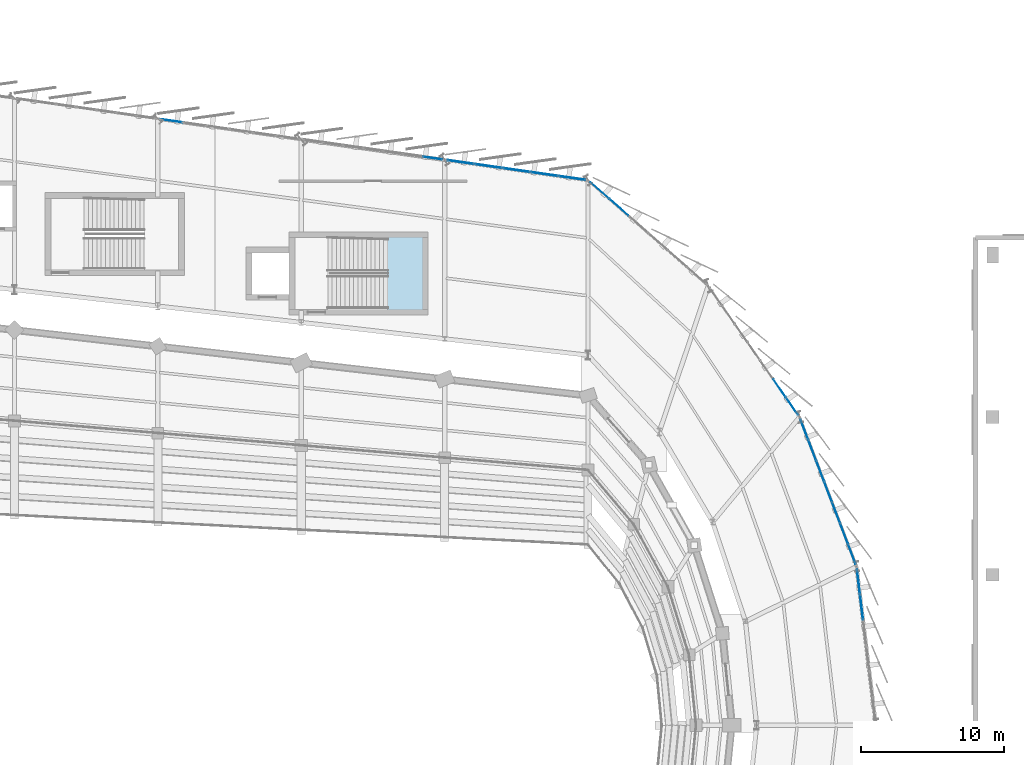
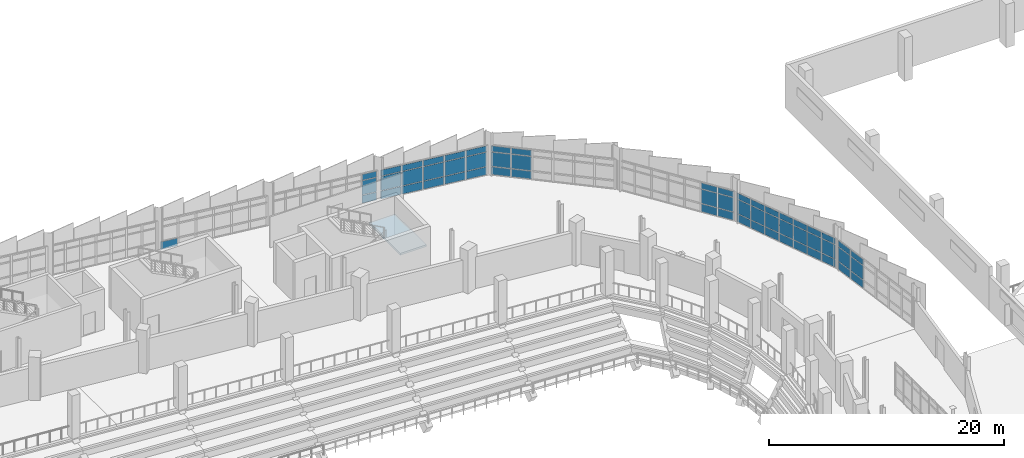
# One storey, part 101 of 134: 58 plates, 1 slab, 8 elements without a shape of their own.
"""IFC4 building model written with IfcOpenShell, lengths in metres."""

from ifc_helpers import new_model, si_unit, direction, frame, origin, origin_2d, place, context, subcontext, project, spatial, polyline, rectangle, outline, extrude, material, layer, layer_set, type_object, element, aggregate, save


model = new_model("IFC4")

# Units and contexts
model_context = context("Model", 3, precision=1e-05, world=origin(), true_north=direction((0.0, 1.0)))
body_context = subcontext(model_context, "Body", "Model", "MODEL_VIEW")
ifc_project = project(units=[si_unit("LENGTHUNIT", "METRE"), si_unit("AREAUNIT", "SQUARE_METRE"), si_unit("VOLUMEUNIT", "CUBIC_METRE"), si_unit("PLANEANGLEUNIT", "RADIAN"), si_unit("MASSUNIT", "GRAM", prefix="KILO")], contexts=[model_context])

# Site, building, storey
site_placement = place(None, origin())
site = spatial("IfcSite", under=ifc_project, at=site_placement, CompositionType="ELEMENT")
building_placement = place(site_placement, origin())
building = spatial("IfcBuilding", under=site, at=building_placement, Name="Sohan Crest Arena", CompositionType="ELEMENT")
storey_placement = place(building_placement, frame((0.0, 0.0, 4.5)))
storey = spatial("IfcBuildingStorey", under=building, at=storey_placement, Name="L01", CompositionType="ELEMENT", Elevation=4.5)

# Curtain wall, plates
ifc_material_1 = material(Name="Thermally broken anodised aluminium", Category="aluminium")
ifc_layer_1 = layer(ifc_material_1, 0.179931640625, Name="Thermally broken anodised aluminium")
ifc_layer_set_1 = layer_set([ifc_layer_1], Name="Thermally broken anodised aluminium")
curtain_wall_type_1 = type_object("IfcCurtainWallType", Name="ARC-CW01", PredefinedType="NOTDEFINED", material=ifc_layer_set_1)
curtain_wall_1_placement = place(storey_placement, origin())
curtain_wall_1 = element("IfcCurtainWall", 1, at=curtain_wall_1_placement, inside=storey, type_object=curtain_wall_type_1, Name="Unitised curtain wall CW-040", PredefinedType="NOTDEFINED")
ifc_material_2 = material(Name="Low-E double-glazed insulated glass", Category="glass")
ifc_layer_2 = layer(ifc_material_2, 0.028076171875, Name="Low-E double-glazed insulated glass")
ifc_layer_set_2 = layer_set([ifc_layer_2], Name="Low-E double-glazed insulated glass")
plate_type_1 = type_object("IfcPlateType", Name="ARC-CNP01", PredefinedType="CURTAIN_PANEL", material=ifc_layer_set_2)
plate_1_placement = place(storey_placement, frame((186.396240234375, 89.931884765625, 0.06005859375), z_axis=(0.0, 0.0, 1.0), x_axis=(-0.356560255882, 0.934272328567, 0.0)))
plate_1 = element("IfcPlate", 2, at=plate_1_placement, type_object=plate_type_1, Name="CW-040 panel 1.1", PredefinedType="CURTAIN_PANEL", context=body_context, shape_type="SweptSolid", body=[
    extrude(rectangle(XDim=1.466064453125, YDim=0.028076171875, at=origin_2d()), origin(), (0.0, 0.0, 1.0), 0.81005859375),
])
plate_2_placement = place(storey_placement, frame((186.396240234375, 89.931884765625, 0.929931640625), z_axis=(0.0, 0.0, 1.0), x_axis=(-0.356560255882, 0.934272328567, 0.0)))
plate_2 = element("IfcPlate", 3, at=plate_2_placement, type_object=plate_type_1, Name="CW-040 panel 1.2", PredefinedType="CURTAIN_PANEL", context=body_context, shape_type="SweptSolid", body=[
    extrude(rectangle(XDim=1.466064453125, YDim=0.028076171875, at=origin_2d()), origin(), (0.0, 0.0, 1.0), 1.4599609375),
])
plate_3_placement = place(storey_placement, frame((186.396240234375, 89.931884765625, 2.44970703125), z_axis=(0.0, 0.0, 1.0), x_axis=(-0.356560255882, 0.934272328567, 0.0)))
plate_3 = element("IfcPlate", 4, at=plate_3_placement, type_object=plate_type_1, Name="CW-040 panel 1.3", PredefinedType="CURTAIN_PANEL", context=body_context, shape_type="SweptSolid", body=[
    extrude(rectangle(XDim=1.466064453125, YDim=0.028076171875, at=origin_2d()), origin(), (0.0, 0.0, 1.0), 0.610107421875),
])
plate_4_placement = place(storey_placement, frame((185.8466796875, 91.371826171875, 0.06005859375), z_axis=(0.0, 0.0, 1.0), x_axis=(-0.356560255882, 0.934272328567, 0.0)))
plate_4 = element("IfcPlate", 5, at=plate_4_placement, type_object=plate_type_1, Name="CW-040 panel 2.1", PredefinedType="CURTAIN_PANEL", context=body_context, shape_type="SweptSolid", body=[
    extrude(rectangle(XDim=1.49609375, YDim=0.028076171875, at=origin_2d()), origin(), (0.0, 0.0, 1.0), 0.81005859375),
])
plate_5_placement = place(storey_placement, frame((185.8466796875, 91.371826171875, 0.929931640625), z_axis=(0.0, 0.0, 1.0), x_axis=(-0.356560255882, 0.934272328567, 0.0)))
plate_5 = element("IfcPlate", 6, at=plate_5_placement, type_object=plate_type_1, Name="CW-040 panel 2.2", PredefinedType="CURTAIN_PANEL", context=body_context, shape_type="SweptSolid", body=[
    extrude(rectangle(XDim=1.49609375, YDim=0.028076171875, at=origin_2d()), origin(), (0.0, 0.0, 1.0), 1.4599609375),
])
plate_6_placement = place(storey_placement, frame((185.8466796875, 91.371826171875, 2.44970703125), z_axis=(0.0, 0.0, 1.0), x_axis=(-0.356560255882, 0.934272328567, 0.0)))
plate_6 = element("IfcPlate", 7, at=plate_6_placement, type_object=plate_type_1, Name="CW-040 panel 2.3", PredefinedType="CURTAIN_PANEL", context=body_context, shape_type="SweptSolid", body=[
    extrude(rectangle(XDim=1.49609375, YDim=0.028076171875, at=origin_2d()), origin(), (0.0, 0.0, 1.0), 0.610107421875),
])
plate_7_placement = place(storey_placement, frame((185.291748046875, 92.82568359375, 0.06005859375), z_axis=(0.0, 0.0, 1.0), x_axis=(-0.356560255882, 0.934272328567, 0.0)))
plate_7 = element("IfcPlate", 8, at=plate_7_placement, type_object=plate_type_1, Name="CW-040 panel 3.1", PredefinedType="CURTAIN_PANEL", context=body_context, shape_type="SweptSolid", body=[
    extrude(rectangle(XDim=1.49609375, YDim=0.028076171875, at=origin_2d()), origin(), (0.0, 0.0, 1.0), 0.81005859375),
])
plate_8_placement = place(storey_placement, frame((185.291748046875, 92.82568359375, 0.929931640625), z_axis=(0.0, 0.0, 1.0), x_axis=(-0.356560255882, 0.934272328567, 0.0)))
plate_8 = element("IfcPlate", 9, at=plate_8_placement, type_object=plate_type_1, Name="CW-040 panel 3.2", PredefinedType="CURTAIN_PANEL", context=body_context, shape_type="SweptSolid", body=[
    extrude(rectangle(XDim=1.49609375, YDim=0.028076171875, at=origin_2d()), origin(), (0.0, 0.0, 1.0), 1.4599609375),
])
plate_9_placement = place(storey_placement, frame((185.291748046875, 92.82568359375, 2.44970703125), z_axis=(0.0, 0.0, 1.0), x_axis=(-0.356560255882, 0.934272328567, 0.0)))
plate_9 = element("IfcPlate", 10, at=plate_9_placement, type_object=plate_type_1, Name="CW-040 panel 3.3", PredefinedType="CURTAIN_PANEL", context=body_context, shape_type="SweptSolid", body=[
    extrude(rectangle(XDim=1.49609375, YDim=0.028076171875, at=origin_2d()), origin(), (0.0, 0.0, 1.0), 0.610107421875),
])
plate_10_placement = place(storey_placement, frame((184.737060546875, 94.279541015625, 0.06005859375), z_axis=(0.0, 0.0, 1.0), x_axis=(-0.356560255882, 0.934272328567, 0.0)))
plate_10 = element("IfcPlate", 11, at=plate_10_placement, type_object=plate_type_1, Name="CW-040 panel 4.1", PredefinedType="CURTAIN_PANEL", context=body_context, shape_type="SweptSolid", body=[
    extrude(rectangle(XDim=1.49609375, YDim=0.028076171875, at=origin_2d()), origin(), (0.0, 0.0, 1.0), 0.81005859375),
])
plate_11_placement = place(storey_placement, frame((184.737060546875, 94.279541015625, 0.929931640625), z_axis=(0.0, 0.0, 1.0), x_axis=(-0.356560255882, 0.934272328567, 0.0)))
plate_11 = element("IfcPlate", 12, at=plate_11_placement, type_object=plate_type_1, Name="CW-040 panel 4.2", PredefinedType="CURTAIN_PANEL", context=body_context, shape_type="SweptSolid", body=[
    extrude(rectangle(XDim=1.49609375, YDim=0.028076171875, at=origin_2d()), origin(), (0.0, 0.0, 1.0), 1.4599609375),
])
plate_12_placement = place(storey_placement, frame((184.737060546875, 94.279541015625, 2.44970703125), z_axis=(0.0, 0.0, 1.0), x_axis=(-0.356560255882, 0.934272328567, 0.0)))
plate_12 = element("IfcPlate", 13, at=plate_12_placement, type_object=plate_type_1, Name="CW-040 panel 4.3", PredefinedType="CURTAIN_PANEL", context=body_context, shape_type="SweptSolid", body=[
    extrude(rectangle(XDim=1.49609375, YDim=0.028076171875, at=origin_2d()), origin(), (0.0, 0.0, 1.0), 0.610107421875),
])
plate_13_placement = place(storey_placement, frame((184.18212890625, 95.7333984375, 0.06005859375), z_axis=(0.0, 0.0, 1.0), x_axis=(-0.356560255882, 0.934272328567, 0.0)))
plate_13 = element("IfcPlate", 14, at=plate_13_placement, type_object=plate_type_1, Name="CW-040 panel 5.1", PredefinedType="CURTAIN_PANEL", context=body_context, shape_type="SweptSolid", body=[
    extrude(rectangle(XDim=1.49609375, YDim=0.028076171875, at=origin_2d()), origin(), (0.0, 0.0, 1.0), 0.81005859375),
])
plate_14_placement = place(storey_placement, frame((184.18212890625, 95.7333984375, 0.929931640625), z_axis=(0.0, 0.0, 1.0), x_axis=(-0.356560255882, 0.934272328567, 0.0)))
plate_14 = element("IfcPlate", 15, at=plate_14_placement, type_object=plate_type_1, Name="CW-040 panel 5.2", PredefinedType="CURTAIN_PANEL", context=body_context, shape_type="SweptSolid", body=[
    extrude(rectangle(XDim=1.49609375, YDim=0.028076171875, at=origin_2d()), origin(), (0.0, 0.0, 1.0), 1.4599609375),
])
plate_15_placement = place(storey_placement, frame((184.18212890625, 95.7333984375, 2.44970703125), z_axis=(0.0, 0.0, 1.0), x_axis=(-0.356560255882, 0.934272328567, 0.0)))
plate_15 = element("IfcPlate", 16, at=plate_15_placement, type_object=plate_type_1, Name="CW-040 panel 5.3", PredefinedType="CURTAIN_PANEL", context=body_context, shape_type="SweptSolid", body=[
    extrude(rectangle(XDim=1.49609375, YDim=0.028076171875, at=origin_2d()), origin(), (0.0, 0.0, 1.0), 0.610107421875),
])
plate_16_placement = place(storey_placement, frame((183.627197265625, 97.187255859375, 0.06005859375), z_axis=(0.0, 0.0, 1.0), x_axis=(-0.356560255882, 0.934272328567, 0.0)))
plate_16 = element("IfcPlate", 17, at=plate_16_placement, type_object=plate_type_1, Name="CW-040 panel 6.1", PredefinedType="CURTAIN_PANEL", context=body_context, shape_type="SweptSolid", body=[
    extrude(rectangle(XDim=1.49609375, YDim=0.028076171875, at=origin_2d()), origin(), (0.0, 0.0, 1.0), 0.81005859375),
])
plate_17_placement = place(storey_placement, frame((183.627197265625, 97.187255859375, 0.929931640625), z_axis=(0.0, 0.0, 1.0), x_axis=(-0.356560255882, 0.934272328567, 0.0)))
plate_17 = element("IfcPlate", 18, at=plate_17_placement, type_object=plate_type_1, Name="CW-040 panel 6.2", PredefinedType="CURTAIN_PANEL", context=body_context, shape_type="SweptSolid", body=[
    extrude(rectangle(XDim=1.49609375, YDim=0.028076171875, at=origin_2d()), origin(), (0.0, 0.0, 1.0), 1.4599609375),
])
plate_18_placement = place(storey_placement, frame((183.627197265625, 97.187255859375, 2.44970703125), z_axis=(0.0, 0.0, 1.0), x_axis=(-0.356560255882, 0.934272328567, 0.0)))
plate_18 = element("IfcPlate", 19, at=plate_18_placement, type_object=plate_type_1, Name="CW-040 panel 6.3", PredefinedType="CURTAIN_PANEL", context=body_context, shape_type="SweptSolid", body=[
    extrude(rectangle(XDim=1.49609375, YDim=0.028076171875, at=origin_2d()), origin(), (0.0, 0.0, 1.0), 0.610107421875),
])
plate_19_placement = place(storey_placement, frame((183.077880859375, 98.626953125, 0.06005859375), z_axis=(0.0, 0.0, 1.0), x_axis=(-0.356560255882, 0.934272328567, 0.0)))
plate_19 = element("IfcPlate", 20, at=plate_19_placement, type_object=plate_type_1, Name="CW-040 panel 7.1", PredefinedType="CURTAIN_PANEL", context=body_context, shape_type="SweptSolid", body=[
    extrude(rectangle(XDim=1.466064453125, YDim=0.028076171875, at=origin_2d()), origin(), (0.0, 0.0, 1.0), 0.81005859375),
])
plate_20_placement = place(storey_placement, frame((183.077880859375, 98.626953125, 0.929931640625), z_axis=(0.0, 0.0, 1.0), x_axis=(-0.356560255882, 0.934272328567, 0.0)))
plate_20 = element("IfcPlate", 21, at=plate_20_placement, type_object=plate_type_1, Name="CW-040 panel 7.2", PredefinedType="CURTAIN_PANEL", context=body_context, shape_type="SweptSolid", body=[
    extrude(rectangle(XDim=1.466064453125, YDim=0.028076171875, at=origin_2d()), origin(), (0.0, 0.0, 1.0), 1.4599609375),
])
plate_21_placement = place(storey_placement, frame((183.077880859375, 98.626953125, 2.44970703125), z_axis=(0.0, 0.0, 1.0), x_axis=(-0.356560255882, 0.934272328567, 0.0)))
plate_21 = element("IfcPlate", 22, at=plate_21_placement, type_object=plate_type_1, Name="CW-040 panel 7.3", PredefinedType="CURTAIN_PANEL", context=body_context, shape_type="SweptSolid", body=[
    extrude(rectangle(XDim=1.466064453125, YDim=0.028076171875, at=origin_2d()), origin(), (0.0, 0.0, 1.0), 0.610107421875),
])
aggregate(curtain_wall_1, [plate_1, plate_2, plate_3, plate_4, plate_5, plate_6, plate_7, plate_8, plate_9, plate_10, plate_11, plate_12, plate_13, plate_14, plate_15, plate_16, plate_17, plate_18, plate_19, plate_20, plate_21])

ifc_layer_3 = layer(ifc_material_1, 0.18994140625, Name="Thermally broken anodised aluminium")
ifc_layer_set_3 = layer_set([ifc_layer_3], Name="Thermally broken anodised aluminium")
curtain_wall_type_2 = type_object("IfcCurtainWallType", Name="ARC-CW05", PredefinedType="NOTDEFINED", material=ifc_layer_set_3)
curtain_wall_2_placement = place(storey_placement, origin())
curtain_wall_2 = element("IfcCurtainWall", 23, at=curtain_wall_2_placement, inside=storey, type_object=curtain_wall_type_2, Name="Unitised curtain wall CW-044", PredefinedType="NOTDEFINED")
plate_22_placement = place(storey_placement, frame((157.160400390625, 117.548583984375, 0.06494140625), z_axis=(0.0, 0.0, 1.0), x_axis=(-0.989945428602, 0.141449808729, 0.0)))
plate_22 = element("IfcPlate", 24, at=plate_22_placement, type_object=plate_type_1, Name="CW-044 panel 1.1", PredefinedType="CURTAIN_PANEL", context=body_context, shape_type="SweptSolid", body=[
    extrude(rectangle(XDim=1.31591796875, YDim=0.028076171875, at=origin_2d()), origin(), (0.0, 0.0, 1.0), 0.802490234375),
])
plate_23_placement = place(storey_placement, frame((157.160400390625, 117.548583984375, 0.932373046875), z_axis=(0.0, 0.0, 1.0), x_axis=(-0.989945428602, 0.141449808729, 0.0)))
plate_23 = element("IfcPlate", 25, at=plate_23_placement, type_object=plate_type_1, Name="CW-044 panel 1.2", PredefinedType="CURTAIN_PANEL", context=body_context, shape_type="SweptSolid", body=[
    extrude(rectangle(XDim=1.31591796875, YDim=0.028076171875, at=origin_2d()), origin(), (0.0, 0.0, 1.0), 1.455078125),
])
plate_24_placement = place(storey_placement, frame((157.160400390625, 117.548583984375, 2.452392578125), z_axis=(0.0, 0.0, 1.0), x_axis=(-0.989945428602, 0.141449808729, 0.0)))
plate_24 = element("IfcPlate", 26, at=plate_24_placement, type_object=plate_type_1, Name="CW-044 panel 1.3", PredefinedType="CURTAIN_PANEL", context=body_context, shape_type="SweptSolid", body=[
    extrude(rectangle(XDim=1.31591796875, YDim=0.028076171875, at=origin_2d()), origin(), (0.0, 0.0, 1.0), 0.6025390625),
])
aggregate(curtain_wall_2, [plate_22, plate_23, plate_24])

ifc_layer_4 = layer(ifc_material_1, 0.199951171875, Name="Thermally broken anodised aluminium")
ifc_layer_set_4 = layer_set([ifc_layer_4], Name="Thermally broken anodised aluminium")
curtain_wall_type_3 = type_object("IfcCurtainWallType", Name="ARC-CW02", PredefinedType="NOTDEFINED", material=ifc_layer_set_4)
curtain_wall_3_placement = place(storey_placement, origin())
curtain_wall_3 = element("IfcCurtainWall", 27, at=curtain_wall_3_placement, inside=storey, type_object=curtain_wall_type_3, Name="Unitised curtain wall CW-041", PredefinedType="NOTDEFINED")
ifc_layer_5 = layer(ifc_material_2, 0.031982421875, Name="Low-E double-glazed insulated glass")
ifc_layer_set_5 = layer_set([ifc_layer_5], Name="Low-E double-glazed insulated glass")
plate_type_2 = type_object("IfcPlateType", Name="ARC-CNP02", PredefinedType="CURTAIN_PANEL", material=ifc_layer_set_5)
plate_25_placement = place(storey_placement, frame((182.2216796875, 100.248046875, 0.06494140625), z_axis=(0.0, 0.0, 1.0), x_axis=(-0.570908450107, 0.821013728019, 0.0)))
plate_25 = element("IfcPlate", 28, at=plate_25_placement, type_object=plate_type_2, Name="CW-041 panel 1.1", PredefinedType="CURTAIN_PANEL", context=body_context, shape_type="SweptSolid", body=[
    extrude(rectangle(XDim=1.45849609375, YDim=0.031982421875, at=origin_2d()), origin(), (0.0, 0.0, 1.0), 0.802490234375),
])
plate_26_placement = place(storey_placement, frame((182.2216796875, 100.248046875, 0.932373046875), z_axis=(0.0, 0.0, 1.0), x_axis=(-0.570908450107, 0.821013728019, 0.0)))
plate_26 = element("IfcPlate", 29, at=plate_26_placement, type_object=plate_type_2, Name="CW-041 panel 1.2", PredefinedType="CURTAIN_PANEL", context=body_context, shape_type="SweptSolid", body=[
    extrude(rectangle(XDim=1.45849609375, YDim=0.031982421875, at=origin_2d()), origin(), (0.0, 0.0, 1.0), 1.455078125),
])
plate_27_placement = place(storey_placement, frame((182.2216796875, 100.248046875, 2.452392578125), z_axis=(0.0, 0.0, 1.0), x_axis=(-0.570908450107, 0.821013728019, 0.0)))
plate_27 = element("IfcPlate", 30, at=plate_27_placement, type_object=plate_type_2, Name="CW-041 panel 1.3", PredefinedType="CURTAIN_PANEL", context=body_context, shape_type="SweptSolid", body=[
    extrude(rectangle(XDim=1.45849609375, YDim=0.031982421875, at=origin_2d()), origin(), (0.0, 0.0, 1.0), 0.6025390625),
])
plate_28_placement = place(storey_placement, frame((181.342529296875, 101.51220703125, 0.06494140625), z_axis=(0.0, 0.0, 1.0), x_axis=(-0.570908450107, 0.821013728019, 0.0)))
plate_28 = element("IfcPlate", 31, at=plate_28_placement, type_object=plate_type_2, Name="CW-041 panel 2.1", PredefinedType="CURTAIN_PANEL", context=body_context, shape_type="SweptSolid", body=[
    extrude(rectangle(XDim=1.490966796875, YDim=0.031982421875, at=origin_2d()), origin(), (0.0, 0.0, 1.0), 0.802490234375),
])
plate_29_placement = place(storey_placement, frame((181.342529296875, 101.51220703125, 0.932373046875), z_axis=(0.0, 0.0, 1.0), x_axis=(-0.570908450107, 0.821013728019, 0.0)))
plate_29 = element("IfcPlate", 32, at=plate_29_placement, type_object=plate_type_2, Name="CW-041 panel 2.2", PredefinedType="CURTAIN_PANEL", context=body_context, shape_type="SweptSolid", body=[
    extrude(rectangle(XDim=1.490966796875, YDim=0.031982421875, at=origin_2d()), origin(), (0.0, 0.0, 1.0), 1.455078125),
])
plate_30_placement = place(storey_placement, frame((181.342529296875, 101.51220703125, 2.452392578125), z_axis=(0.0, 0.0, 1.0), x_axis=(-0.570908450107, 0.821013728019, 0.0)))
plate_30 = element("IfcPlate", 33, at=plate_30_placement, type_object=plate_type_2, Name="CW-041 panel 2.3", PredefinedType="CURTAIN_PANEL", context=body_context, shape_type="SweptSolid", body=[
    extrude(rectangle(XDim=1.490966796875, YDim=0.031982421875, at=origin_2d()), origin(), (0.0, 0.0, 1.0), 0.6025390625),
])
aggregate(curtain_wall_3, [plate_25, plate_26, plate_27, plate_28, plate_29, plate_30])

# Curtain wall, plate
ifc_layer_6 = layer(ifc_material_1, 0.2099609375, Name="Thermally broken anodised aluminium")
ifc_layer_set_6 = layer_set([ifc_layer_6], Name="Thermally broken anodised aluminium")
curtain_wall_type_4 = type_object("IfcCurtainWallType", Name="ARC-CW06", PredefinedType="NOTDEFINED", material=ifc_layer_set_6)
curtain_wall_4_placement = place(storey_placement, origin())
curtain_wall_4 = element("IfcCurtainWall", 34, at=curtain_wall_4_placement, inside=storey, type_object=curtain_wall_type_4, Name="Unitised curtain wall CW-045", PredefinedType="NOTDEFINED")
plate_31_placement = place(storey_placement, frame((138.95703125, 120.149658203125, 0.070068359375), z_axis=(0.0, 0.0, 1.0), x_axis=(-0.989931194722, 0.141549389674, 0.0)))
plate_31 = element("IfcPlate", 35, at=plate_31_placement, type_object=plate_type_2, Name="CW-045 panel 6.1", PredefinedType="CURTAIN_PANEL", context=body_context, shape_type="SweptSolid", body=[
    extrude(rectangle(XDim=1.542724609375, YDim=0.031982421875, at=origin_2d()), origin(), (0.0, 0.0, 1.0), 0.794921875),
])
aggregate(curtain_wall_4, [plate_31])

# Curtain wall, plates
ifc_layer_7 = layer(ifc_material_1, 0.219970703125, Name="Thermally broken anodised aluminium")
ifc_layer_set_7 = layer_set([ifc_layer_7], Name="Thermally broken anodised aluminium")
curtain_wall_type_5 = type_object("IfcCurtainWallType", Name="ARC-CW03", PredefinedType="NOTDEFINED", material=ifc_layer_set_7)
curtain_wall_5_placement = place(storey_placement, origin())
curtain_wall_5 = element("IfcCurtainWall", 36, at=curtain_wall_5_placement, inside=storey, type_object=curtain_wall_type_5, Name="Unitised curtain wall CW-042", PredefinedType="NOTDEFINED")
ifc_material_3 = material(Name="Ceramic-fritted solar-control insulated glass", Category="glass")
ifc_layer_8 = layer(ifc_material_3, 0.035888671875, Name="Ceramic-fritted solar-control insulated glass")
ifc_layer_set_8 = layer_set([ifc_layer_8], Name="Ceramic-fritted solar-control insulated glass")
plate_type_3 = type_object("IfcPlateType", Name="ARC-CNP03", PredefinedType="CURTAIN_PANEL", material=ifc_layer_set_8)
plate_32_placement = place(storey_placement, frame((170.144775390625, 114.1181640625, 0.070068359375), z_axis=(0.0, 0.0, 1.0), x_axis=(-0.751694427881, 0.659511551903, 0.0)))
plate_32 = element("IfcPlate", 37, at=plate_32_placement, type_object=plate_type_3, Name="CW-042 panel 5.1", PredefinedType="CURTAIN_PANEL", context=body_context, shape_type="SweptSolid", body=[
    extrude(rectangle(XDim=1.7451171875, YDim=0.035888671875, at=origin_2d()), origin(), (0.0, 0.0, 1.0), 0.794921875),
])
plate_33_placement = place(storey_placement, frame((170.144775390625, 114.1181640625, 0.93505859375), z_axis=(0.0, 0.0, 1.0), x_axis=(-0.751694427881, 0.659511551903, 0.0)))
plate_33 = element("IfcPlate", 38, at=plate_33_placement, type_object=plate_type_3, Name="CW-042 panel 5.2", PredefinedType="CURTAIN_PANEL", context=body_context, shape_type="SweptSolid", body=[
    extrude(rectangle(XDim=1.7451171875, YDim=0.035888671875, at=origin_2d()), origin(), (0.0, 0.0, 1.0), 1.449951171875),
])
plate_34_placement = place(storey_placement, frame((170.144775390625, 114.1181640625, 2.455078125), z_axis=(0.0, 0.0, 1.0), x_axis=(-0.751694427881, 0.659511551903, 0.0)))
plate_34 = element("IfcPlate", 39, at=plate_34_placement, type_object=plate_type_3, Name="CW-042 panel 5.3", PredefinedType="CURTAIN_PANEL", context=body_context, shape_type="SweptSolid", body=[
    extrude(rectangle(XDim=1.7451171875, YDim=0.035888671875, at=origin_2d()), origin(), (0.0, 0.0, 1.0), 0.594970703125),
])
plate_35_placement = place(storey_placement, frame((168.79345703125, 115.303955078125, 0.070068359375), z_axis=(0.0, 0.0, 1.0), x_axis=(-0.751694427881, 0.659511551903, 0.0)))
plate_35 = element("IfcPlate", 40, at=plate_35_placement, type_object=plate_type_3, Name="CW-042 panel 6.1", PredefinedType="CURTAIN_PANEL", context=body_context, shape_type="SweptSolid", body=[
    extrude(rectangle(XDim=1.710205078125, YDim=0.035888671875, at=origin_2d()), origin(), (0.0, 0.0, 1.0), 0.794921875),
])
plate_36_placement = place(storey_placement, frame((168.79345703125, 115.303955078125, 0.93505859375), z_axis=(0.0, 0.0, 1.0), x_axis=(-0.751694427881, 0.659511551903, 0.0)))
plate_36 = element("IfcPlate", 41, at=plate_36_placement, type_object=plate_type_3, Name="CW-042 panel 6.2", PredefinedType="CURTAIN_PANEL", context=body_context, shape_type="SweptSolid", body=[
    extrude(rectangle(XDim=1.710205078125, YDim=0.035888671875, at=origin_2d()), origin(), (0.0, 0.0, 1.0), 1.449951171875),
])
plate_37_placement = place(storey_placement, frame((168.79345703125, 115.303955078125, 2.455078125), z_axis=(0.0, 0.0, 1.0), x_axis=(-0.751694427881, 0.659511551903, 0.0)))
plate_37 = element("IfcPlate", 42, at=plate_37_placement, type_object=plate_type_3, Name="CW-042 panel 6.3", PredefinedType="CURTAIN_PANEL", context=body_context, shape_type="SweptSolid", body=[
    extrude(rectangle(XDim=1.710205078125, YDim=0.035888671875, at=origin_2d()), origin(), (0.0, 0.0, 1.0), 0.594970703125),
])
aggregate(curtain_wall_5, [plate_32, plate_33, plate_34, plate_35, plate_36, plate_37])

curtain_wall_6_placement = place(storey_placement, origin())
curtain_wall_6 = element("IfcCurtainWall", 43, at=curtain_wall_6_placement, inside=storey, type_object=curtain_wall_type_4, Name="Unitised curtain wall CW-039", PredefinedType="NOTDEFINED")
ifc_material_4 = material(Name="Insulated polychrome ceramic spandrel panel", Category="masonry")
ifc_layer_9 = layer(ifc_material_4, 0.0419921875, Name="Insulated polychrome ceramic spandrel panel")
ifc_layer_set_9 = layer_set([ifc_layer_9], Name="Insulated polychrome ceramic spandrel panel")
plate_type_4 = type_object("IfcPlateType", Name="ARC-CNP04", PredefinedType="CURTAIN_PANEL", material=ifc_layer_set_9)
plate_38_placement = place(storey_placement, frame((187.071044921875, 86.238037109375, 0.070068359375), z_axis=(0.0, 0.0, 1.0), x_axis=(-0.121186758784, 0.992629724266, 0.0)))
plate_38 = element("IfcPlate", 44, at=plate_38_placement, type_object=plate_type_4, Name="CW-039 panel 5.1", PredefinedType="CURTAIN_PANEL", context=body_context, shape_type="SweptSolid", body=[
    extrude(rectangle(XDim=1.740478515625, YDim=0.0419921875, at=origin_2d()), origin(), (0.0, 0.0, 1.0), 0.794921875),
])
plate_39_placement = place(storey_placement, frame((187.071044921875, 86.238037109375, 0.93505859375), z_axis=(0.0, 0.0, 1.0), x_axis=(-0.121186758784, 0.992629724266, 0.0)))
plate_39 = element("IfcPlate", 45, at=plate_39_placement, type_object=plate_type_4, Name="CW-039 panel 5.2", PredefinedType="CURTAIN_PANEL", context=body_context, shape_type="SweptSolid", body=[
    extrude(rectangle(XDim=1.740478515625, YDim=0.0419921875, at=origin_2d()), origin(), (0.0, 0.0, 1.0), 1.449951171875),
])
plate_40_placement = place(storey_placement, frame((187.071044921875, 86.238037109375, 2.455078125), z_axis=(0.0, 0.0, 1.0), x_axis=(-0.121186758784, 0.992629724266, 0.0)))
plate_40 = element("IfcPlate", 46, at=plate_40_placement, type_object=plate_type_4, Name="CW-039 panel 5.3", PredefinedType="CURTAIN_PANEL", context=body_context, shape_type="SweptSolid", body=[
    extrude(rectangle(XDim=1.740478515625, YDim=0.0419921875, at=origin_2d()), origin(), (0.0, 0.0, 1.0), 0.594970703125),
])
plate_41_placement = place(storey_placement, frame((186.853271484375, 88.021484375, 0.070068359375), z_axis=(0.0, 0.0, 1.0), x_axis=(-0.121186758784, 0.992629724266, 0.0)))
plate_41 = element("IfcPlate", 47, at=plate_41_placement, type_object=plate_type_4, Name="CW-039 panel 6.1", PredefinedType="CURTAIN_PANEL", context=body_context, shape_type="SweptSolid", body=[
    extrude(rectangle(XDim=1.702880859375, YDim=0.0419921875, at=origin_2d()), origin(), (0.0, 0.0, 1.0), 0.794921875),
])
plate_42_placement = place(storey_placement, frame((186.853271484375, 88.021484375, 0.93505859375), z_axis=(0.0, 0.0, 1.0), x_axis=(-0.121186758784, 0.992629724266, 0.0)))
plate_42 = element("IfcPlate", 48, at=plate_42_placement, type_object=plate_type_4, Name="CW-039 panel 6.2", PredefinedType="CURTAIN_PANEL", context=body_context, shape_type="SweptSolid", body=[
    extrude(rectangle(XDim=1.702880859375, YDim=0.0419921875, at=origin_2d()), origin(), (0.0, 0.0, 1.0), 1.449951171875),
])
plate_43_placement = place(storey_placement, frame((186.853271484375, 88.021484375, 2.455078125), z_axis=(0.0, 0.0, 1.0), x_axis=(-0.121186758784, 0.992629724266, 0.0)))
plate_43 = element("IfcPlate", 49, at=plate_43_placement, type_object=plate_type_4, Name="CW-039 panel 6.3", PredefinedType="CURTAIN_PANEL", context=body_context, shape_type="SweptSolid", body=[
    extrude(rectangle(XDim=1.702880859375, YDim=0.0419921875, at=origin_2d()), origin(), (0.0, 0.0, 1.0), 0.594970703125),
])
aggregate(curtain_wall_6, [plate_38, plate_39, plate_40, plate_41, plate_42, plate_43])

ifc_layer_10 = layer(ifc_material_1, 0.239990234375, Name="Thermally broken anodised aluminium")
ifc_layer_set_10 = layer_set([ifc_layer_10], Name="Thermally broken anodised aluminium")
curtain_wall_type_6 = type_object("IfcCurtainWallType", Name="ARC-CW04", PredefinedType="NOTDEFINED", material=ifc_layer_set_10)
curtain_wall_7_placement = place(storey_placement, origin())
curtain_wall_7 = element("IfcCurtainWall", 50, at=curtain_wall_7_placement, inside=storey, type_object=curtain_wall_type_6, Name="Unitised curtain wall CW-043", PredefinedType="NOTDEFINED")
plate_44_placement = place(storey_placement, frame((166.878173828125, 116.159912109375, 0.06005859375), z_axis=(0.0, 0.0, 1.0), x_axis=(-0.989931194722, 0.141549389674, 0.0)))
plate_44 = element("IfcPlate", 51, at=plate_44_placement, type_object=plate_type_4, Name="CW-043 panel 1.1", PredefinedType="CURTAIN_PANEL", context=body_context, shape_type="SweptSolid", body=[
    extrude(rectangle(XDim=1.855712890625, YDim=0.0419921875, at=origin_2d()), origin(), (0.0, 0.0, 1.0), 0.81005859375),
])
plate_45_placement = place(storey_placement, frame((166.878173828125, 116.159912109375, 0.929931640625), z_axis=(0.0, 0.0, 1.0), x_axis=(-0.989931194722, 0.141549389674, 0.0)))
plate_45 = element("IfcPlate", 52, at=plate_45_placement, type_object=plate_type_4, Name="CW-043 panel 1.2", PredefinedType="CURTAIN_PANEL", context=body_context, shape_type="SweptSolid", body=[
    extrude(rectangle(XDim=1.855712890625, YDim=0.0419921875, at=origin_2d()), origin(), (0.0, 0.0, 1.0), 1.4599609375),
])
plate_46_placement = place(storey_placement, frame((166.878173828125, 116.159912109375, 2.44970703125), z_axis=(0.0, 0.0, 1.0), x_axis=(-0.989931194722, 0.141549389674, 0.0)))
plate_46 = element("IfcPlate", 53, at=plate_46_placement, type_object=plate_type_4, Name="CW-043 panel 1.3", PredefinedType="CURTAIN_PANEL", context=body_context, shape_type="SweptSolid", body=[
    extrude(rectangle(XDim=1.855712890625, YDim=0.0419921875, at=origin_2d()), origin(), (0.0, 0.0, 1.0), 0.610107421875),
])
plate_47_placement = place(storey_placement, frame((164.948486328125, 116.435791015625, 0.06005859375), z_axis=(0.0, 0.0, 1.0), x_axis=(-0.989931194722, 0.141549389674, 0.0)))
plate_47 = element("IfcPlate", 54, at=plate_47_placement, type_object=plate_type_4, Name="CW-043 panel 2.1", PredefinedType="CURTAIN_PANEL", context=body_context, shape_type="SweptSolid", body=[
    extrude(rectangle(XDim=1.893310546875, YDim=0.0419921875, at=origin_2d()), origin(), (0.0, 0.0, 1.0), 0.81005859375),
])
plate_48_placement = place(storey_placement, frame((164.948486328125, 116.435791015625, 0.929931640625), z_axis=(0.0, 0.0, 1.0), x_axis=(-0.989931194722, 0.141549389674, 0.0)))
plate_48 = element("IfcPlate", 55, at=plate_48_placement, type_object=plate_type_4, Name="CW-043 panel 2.2", PredefinedType="CURTAIN_PANEL", context=body_context, shape_type="SweptSolid", body=[
    extrude(rectangle(XDim=1.893310546875, YDim=0.0419921875, at=origin_2d()), origin(), (0.0, 0.0, 1.0), 1.4599609375),
])
plate_49_placement = place(storey_placement, frame((164.948486328125, 116.435791015625, 2.44970703125), z_axis=(0.0, 0.0, 1.0), x_axis=(-0.989931194722, 0.141549389674, 0.0)))
plate_49 = element("IfcPlate", 56, at=plate_49_placement, type_object=plate_type_4, Name="CW-043 panel 2.3", PredefinedType="CURTAIN_PANEL", context=body_context, shape_type="SweptSolid", body=[
    extrude(rectangle(XDim=1.893310546875, YDim=0.0419921875, at=origin_2d()), origin(), (0.0, 0.0, 1.0), 0.610107421875),
])
plate_50_placement = place(storey_placement, frame((163.0, 116.714599609375, 0.06005859375), z_axis=(0.0, 0.0, 1.0), x_axis=(-0.989931194722, 0.141549389674, 0.0)))
plate_50 = element("IfcPlate", 57, at=plate_50_placement, type_object=plate_type_4, Name="CW-043 panel 3.1", PredefinedType="CURTAIN_PANEL", context=body_context, shape_type="SweptSolid", body=[
    extrude(rectangle(XDim=1.893310546875, YDim=0.0419921875, at=origin_2d()), origin(), (0.0, 0.0, 1.0), 0.81005859375),
])
plate_51_placement = place(storey_placement, frame((163.0, 116.714599609375, 0.929931640625), z_axis=(0.0, 0.0, 1.0), x_axis=(-0.989931194722, 0.141549389674, 0.0)))
plate_51 = element("IfcPlate", 58, at=plate_51_placement, type_object=plate_type_4, Name="CW-043 panel 3.2", PredefinedType="CURTAIN_PANEL", context=body_context, shape_type="SweptSolid", body=[
    extrude(rectangle(XDim=1.893310546875, YDim=0.0419921875, at=origin_2d()), origin(), (0.0, 0.0, 1.0), 1.4599609375),
])
plate_52_placement = place(storey_placement, frame((163.0, 116.714599609375, 2.44970703125), z_axis=(0.0, 0.0, 1.0), x_axis=(-0.989931194722, 0.141549389674, 0.0)))
plate_52 = element("IfcPlate", 59, at=plate_52_placement, type_object=plate_type_4, Name="CW-043 panel 3.3", PredefinedType="CURTAIN_PANEL", context=body_context, shape_type="SweptSolid", body=[
    extrude(rectangle(XDim=1.893310546875, YDim=0.0419921875, at=origin_2d()), origin(), (0.0, 0.0, 1.0), 0.610107421875),
])
plate_53_placement = place(storey_placement, frame((161.051513671875, 116.9931640625, 0.06005859375), z_axis=(0.0, 0.0, 1.0), x_axis=(-0.989931194722, 0.141549389674, 0.0)))
plate_53 = element("IfcPlate", 60, at=plate_53_placement, type_object=plate_type_4, Name="CW-043 panel 4.1", PredefinedType="CURTAIN_PANEL", context=body_context, shape_type="SweptSolid", body=[
    extrude(rectangle(XDim=1.893310546875, YDim=0.0419921875, at=origin_2d()), origin(), (0.0, 0.0, 1.0), 0.81005859375),
])
plate_54_placement = place(storey_placement, frame((161.051513671875, 116.9931640625, 0.929931640625), z_axis=(0.0, 0.0, 1.0), x_axis=(-0.989931194722, 0.141549389674, 0.0)))
plate_54 = element("IfcPlate", 61, at=plate_54_placement, type_object=plate_type_4, Name="CW-043 panel 4.2", PredefinedType="CURTAIN_PANEL", context=body_context, shape_type="SweptSolid", body=[
    extrude(rectangle(XDim=1.893310546875, YDim=0.0419921875, at=origin_2d()), origin(), (0.0, 0.0, 1.0), 1.4599609375),
])
plate_55_placement = place(storey_placement, frame((161.051513671875, 116.9931640625, 2.44970703125), z_axis=(0.0, 0.0, 1.0), x_axis=(-0.989931194722, 0.141549389674, 0.0)))
plate_55 = element("IfcPlate", 62, at=plate_55_placement, type_object=plate_type_4, Name="CW-043 panel 4.3", PredefinedType="CURTAIN_PANEL", context=body_context, shape_type="SweptSolid", body=[
    extrude(rectangle(XDim=1.893310546875, YDim=0.0419921875, at=origin_2d()), origin(), (0.0, 0.0, 1.0), 0.610107421875),
])
plate_56_placement = place(storey_placement, frame((159.121826171875, 117.26904296875, 0.06005859375), z_axis=(0.0, 0.0, 1.0), x_axis=(-0.989931194722, 0.141549389674, 0.0)))
plate_56 = element("IfcPlate", 63, at=plate_56_placement, type_object=plate_type_4, Name="CW-043 panel 5.1", PredefinedType="CURTAIN_PANEL", context=body_context, shape_type="SweptSolid", body=[
    extrude(rectangle(XDim=1.855712890625, YDim=0.0419921875, at=origin_2d()), origin(), (0.0, 0.0, 1.0), 0.81005859375),
])
plate_57_placement = place(storey_placement, frame((159.121826171875, 117.26904296875, 0.929931640625), z_axis=(0.0, 0.0, 1.0), x_axis=(-0.989931194722, 0.141549389674, 0.0)))
plate_57 = element("IfcPlate", 64, at=plate_57_placement, type_object=plate_type_4, Name="CW-043 panel 5.2", PredefinedType="CURTAIN_PANEL", context=body_context, shape_type="SweptSolid", body=[
    extrude(rectangle(XDim=1.855712890625, YDim=0.0419921875, at=origin_2d()), origin(), (0.0, 0.0, 1.0), 1.4599609375),
])
plate_58_placement = place(storey_placement, frame((159.121826171875, 117.26904296875, 2.44970703125), z_axis=(0.0, 0.0, 1.0), x_axis=(-0.989931194722, 0.141549389674, 0.0)))
plate_58 = element("IfcPlate", 65, at=plate_58_placement, type_object=plate_type_4, Name="CW-043 panel 5.3", PredefinedType="CURTAIN_PANEL", context=body_context, shape_type="SweptSolid", body=[
    extrude(rectangle(XDim=1.855712890625, YDim=0.0419921875, at=origin_2d()), origin(), (0.0, 0.0, 1.0), 0.610107421875),
])
aggregate(curtain_wall_7, [plate_44, plate_45, plate_46, plate_47, plate_48, plate_49, plate_50, plate_51, plate_52, plate_53, plate_54, plate_55, plate_56, plate_57, plate_58])

# Stair, slab
ifc_material_5 = material(Name="Concrete C40/50", Category="concrete")
stair_type = type_object("IfcStairType", Name="ST-450", PredefinedType="TWO_STRAIGHT_RUN_STAIR", material=ifc_material_5)
stair_placement = place(storey_placement, origin())
stair = element("IfcStair", 66, at=stair_placement, inside=storey, type_object=stair_type, Name="Protected exit stair ST10-L01", PredefinedType="TWO_STRAIGHT_RUN_STAIR")
ifc_layer_11 = layer(ifc_material_5, 0.199951171875, Name="Concrete C40/50")
ifc_layer_set_11 = layer_set([ifc_layer_11], Name="Concrete C40/50")
slab_type = type_object("IfcSlabType", Name="SL-LND1", PredefinedType="LANDING", material=ifc_layer_set_11)
slab_placement = place(storey_placement, frame((0.0, 0.0, 2.050048828125)))
slab = element("IfcSlab", 67, at=slab_placement, type_object=slab_type, Name="ST10-L01 landing 1", PredefinedType="LANDING", context=body_context, shape_type="SweptSolid", body=[
    extrude(outline(polyline([(154.030029296875, 106.85009765625), (156.60009765625, 106.85009765625), (156.60009765625, 112.14990234375), (154.030029296875, 112.14990234375), (154.030029296875, 106.85009765625)])), origin(), (0.0, 0.0, 1.0), 0.199951171875),
])
aggregate(stair, [slab])

save(model, "model.ifc")
